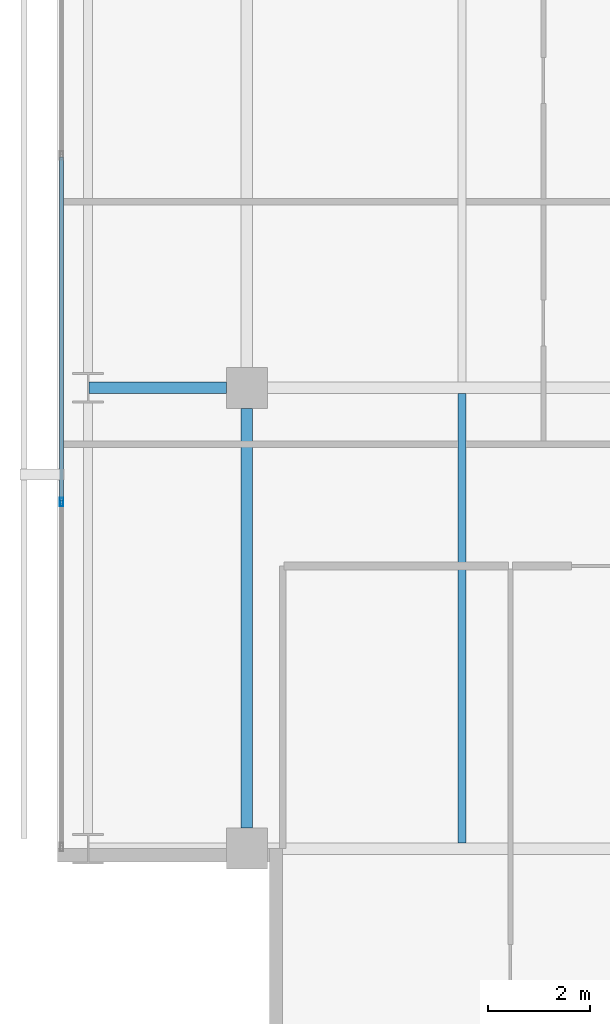
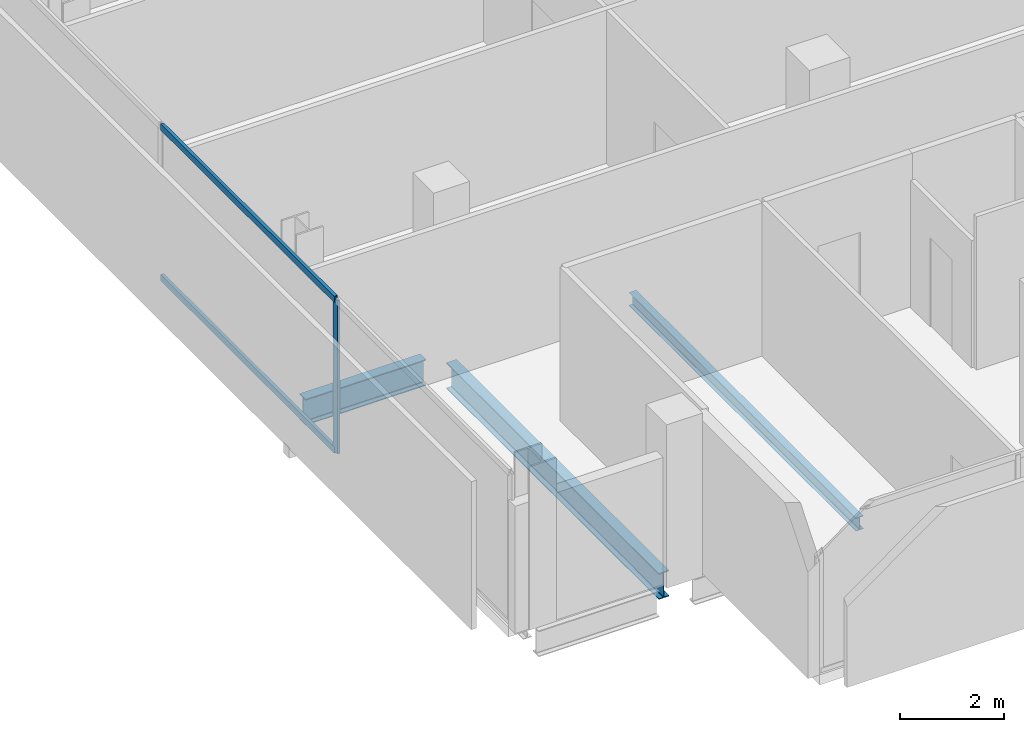
# One storey, part 4 of 33: 3 beams, 3 members, 1 element without a shape of its own.
"""IFC4 building model written with IfcOpenShell, lengths in metres."""

from ifc_helpers import new_model, si_unit, direction, frame, origin, origin_2d, place, context, subcontext, project, spatial, hollow_rectangle, i_section, extrude, material, layer, layer_set, material_profile, profile_set, type_object, element, aggregate, save


model = new_model("IFC4")

# Units and contexts
model_context = context("Model", 3, precision=1e-05, world=origin(), true_north=direction((0.0, 1.0)))
body_context = subcontext(model_context, "Body", "Model", "MODEL_VIEW")
ifc_project = project(units=[si_unit("LENGTHUNIT", "METRE"), si_unit("AREAUNIT", "SQUARE_METRE"), si_unit("VOLUMEUNIT", "CUBIC_METRE"), si_unit("PLANEANGLEUNIT", "RADIAN"), si_unit("MASSUNIT", "GRAM", prefix="KILO")], contexts=[model_context])

# Site, building, storey
site_placement = place(None, origin())
site = spatial("IfcSite", under=ifc_project, at=site_placement, CompositionType="ELEMENT")
building_placement = place(site_placement, origin())
building = spatial("IfcBuilding", under=site, at=building_placement, Name="Maruvema Waterfront Hotel and Observation Tower", CompositionType="ELEMENT")
storey_placement = place(building_placement, frame((0.0, 0.0, 142.800048828125)))
storey = spatial("IfcBuildingStorey", under=building, at=storey_placement, Name="L34", CompositionType="ELEMENT", Elevation=142.800048828125)

# Curtain wall, members
ifc_material_1 = material(Name="Anodised bronze aluminium and solar-control low-E IGU", Category="aluminium")
ifc_layer = layer(ifc_material_1, 0.159912109375, Name="Zone 2 Amber Inner Thermal Curtain Wall System CW-03")
ifc_layer_set = layer_set([ifc_layer], Name="Anodised bronze aluminium and solar-control low-E IGU")
curtain_wall_type = type_object("IfcCurtainWallType", Name="Zone 2 Amber Inner Thermal Curtain Wall System CW-03", PredefinedType="USERDEFINED", material=ifc_layer_set)
curtain_wall_placement = place(storey_placement, origin())
curtain_wall = element("IfcCurtainWall", 1, at=curtain_wall_placement, inside=storey, type_object=curtain_wall_type, Name="L34 Curtain Wall CW-L34-W", ObjectType="UNITISED CURTAIN WALL", PredefinedType="USERDEFINED")
ifc_material_2 = material(Name="Anodised architectural bronze aluminium", Category="aluminium")
ifc_material_profile_1 = material_profile(ifc_material_2, hollow_rectangle(XDim=0.070068359375, YDim=0.14990234375, WallThickness=0.00390625, at=origin_2d()), Name="ALU-T70x150")
ifc_profile_set_1 = profile_set([ifc_material_profile_1], Name="Anodised architectural bronze aluminium")
member_type_1 = type_object("IfcMemberType", Name="Curtain Wall Horizontal Transom ALU-T70x150", PredefinedType="USERDEFINED", material=ifc_profile_set_1)
member_1_placement = place(storey_placement, frame((13.179931640625, 22.50341796875, 0.030029296875), z_axis=(0.0, -1.0, 0.0), x_axis=(1.0, 0.0, 0.0)))
member_1 = element("IfcMember", 2, at=member_1_placement, type_object=member_type_1, Name="CW-03 transom 5.1", ObjectType="TRANSOM", PredefinedType="USERDEFINED", context=body_context, shape_type="SweptSolid", body=[
    extrude(hollow_rectangle(XDim=0.070068359375, YDim=0.14990234375, WallThickness=0.00390625, at=origin_2d()), origin(), (0.0, 0.0, 1.0), 6.706787109375),
])
member_2_placement = place(storey_placement, frame((13.179931640625, 22.50341796875, 3.579833984375), z_axis=(0.0, -1.0, 0.0), x_axis=(1.0, 0.0, 0.0)))
member_2 = element("IfcMember", 3, at=member_2_placement, type_object=member_type_1, Name="CW-03 transom 5.2", ObjectType="TRANSOM", PredefinedType="USERDEFINED", context=body_context, shape_type="SweptSolid", body=[
    extrude(hollow_rectangle(XDim=0.070068359375, YDim=0.14990234375, WallThickness=0.00390625, at=origin_2d()), origin(), (0.0, 0.0, 1.0), 6.706787109375),
])
ifc_material_3 = material(Name="Anodised architectural bronze aluminium", Category="aluminium")
ifc_material_profile_2 = material_profile(ifc_material_3, hollow_rectangle(XDim=0.06494140625, YDim=0.1650390625, WallThickness=0.00390625, at=origin_2d()), Name="ALU-M65x165")
ifc_profile_set_2 = profile_set([ifc_material_profile_2], Name="Anodised architectural bronze aluminium")
member_type_2 = type_object("IfcMemberType", Name="Curtain Wall Primary Mullion ALU-M65x165", PredefinedType="MULLION", material=ifc_profile_set_2)
member_3_placement = place(storey_placement, frame((13.179931640625, 15.7666015625, 0.0), z_axis=(0.0, 0.0, 1.0), x_axis=(1.0, 0.0, 0.0)))
member_3 = element("IfcMember", 4, at=member_3_placement, type_object=member_type_2, Name="CW-03 mullion 6", PredefinedType="MULLION", context=body_context, shape_type="SweptSolid", body=[
    extrude(hollow_rectangle(XDim=0.06494140625, YDim=0.1650390625, WallThickness=0.00390625, at=origin_2d()), origin(), (0.0, 0.0, 1.0), 3.60986328125),
])
aggregate(curtain_wall, [member_3, member_1, member_2])

# Beams
ifc_material_4 = material(Name="Steel ASTM A572 Grade 50", Category="steel")
ifc_material_profile_3 = material_profile(ifc_material_4, i_section(OverallWidth=0.22900390625, OverallDepth=0.612060546875, WebThickness=0.011962890625, FlangeThickness=0.01953125, FilletRadius=0.01806640625, at=origin_2d()), Name="W610x125.0")
ifc_profile_set_3 = profile_set([ifc_material_profile_3], Name="Steel ASTM A572 Grade 50")
beam_type_1 = type_object("IfcBeamType", Name="Primary Floor Girder W610x125.0", PredefinedType="BEAM", material=ifc_profile_set_3)
beam_1_placement = place(storey_placement, frame((13.71240234375, 18.0, -0.546142578125), z_axis=(1.0, 0.0, 0.0), x_axis=(0.0, 1.0, 0.0)))
element("IfcBeam", 5, at=beam_1_placement, inside=storey, type_object=beam_type_1, Name="L34 Floor Girder EW-11", PredefinedType="BEAM", context=body_context, shape_type="SweptSolid", body=[
    extrude(i_section(OverallWidth=0.22900390625, OverallDepth=0.612060546875, WebThickness=0.011962890625, FlangeThickness=0.01953125, FilletRadius=0.01806640625, at=origin_2d()), origin(), (0.0, 0.0, 1.0), 2.6875),
])
beam_2_placement = place(storey_placement, frame((16.800048828125, 9.39990234375, -0.546142578125), z_axis=(0.0, 1.0, 0.0), x_axis=(-1.0, 0.0, 0.0)))
element("IfcBeam", 6, at=beam_2_placement, inside=storey, type_object=beam_type_1, Name="L34 Floor Girder NS-05", PredefinedType="BEAM", context=body_context, shape_type="SweptSolid", body=[
    extrude(i_section(OverallWidth=0.22900390625, OverallDepth=0.612060546875, WebThickness=0.011962890625, FlangeThickness=0.01953125, FilletRadius=0.01806640625, at=origin_2d()), origin(), (0.0, 0.0, 1.0), 8.2001953125),
])
ifc_material_5 = material(Name="Steel ASTM A572 Grade 50", Category="steel")
ifc_material_profile_4 = material_profile(ifc_material_5, i_section(OverallWidth=0.1650390625, OverallDepth=0.31005859375, WebThickness=0.005859375, FlangeThickness=0.009765625, FilletRadius=0.012939453125, at=origin_2d()), Name="W310x38.7")
ifc_profile_set_4 = profile_set([ifc_material_profile_4], Name="Steel ASTM A572 Grade 50")
beam_type_2 = type_object("IfcBeamType", Name="Secondary Floor Joist W310x38.7", PredefinedType="JOIST", material=ifc_profile_set_4)
beam_3_placement = place(storey_placement, frame((21.0, 9.114501953125, -0.39501953125), z_axis=(0.0, 1.0, 0.0), x_axis=(-1.0, 0.0, 0.0)))
element("IfcBeam", 7, at=beam_3_placement, inside=storey, type_object=beam_type_2, Name="L34 Secondary Floor Joist JS-01", PredefinedType="JOIST", context=body_context, shape_type="SweptSolid", body=[
    extrude(i_section(OverallWidth=0.1650390625, OverallDepth=0.31005859375, WebThickness=0.005859375, FlangeThickness=0.009765625, FilletRadius=0.012939453125, at=origin_2d()), origin(), (0.0, 0.0, 1.0), 8.77099609375),
])

save(model, "model.ifc")
